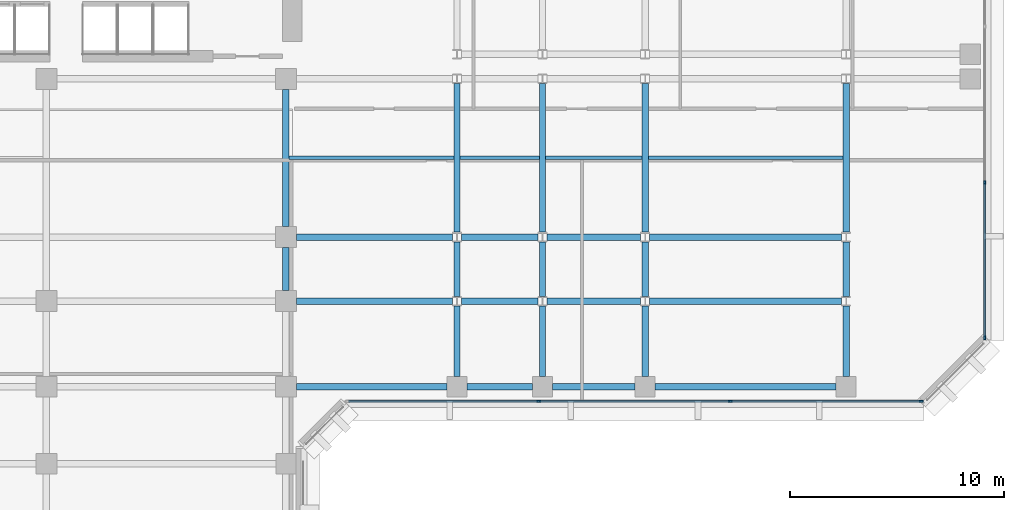
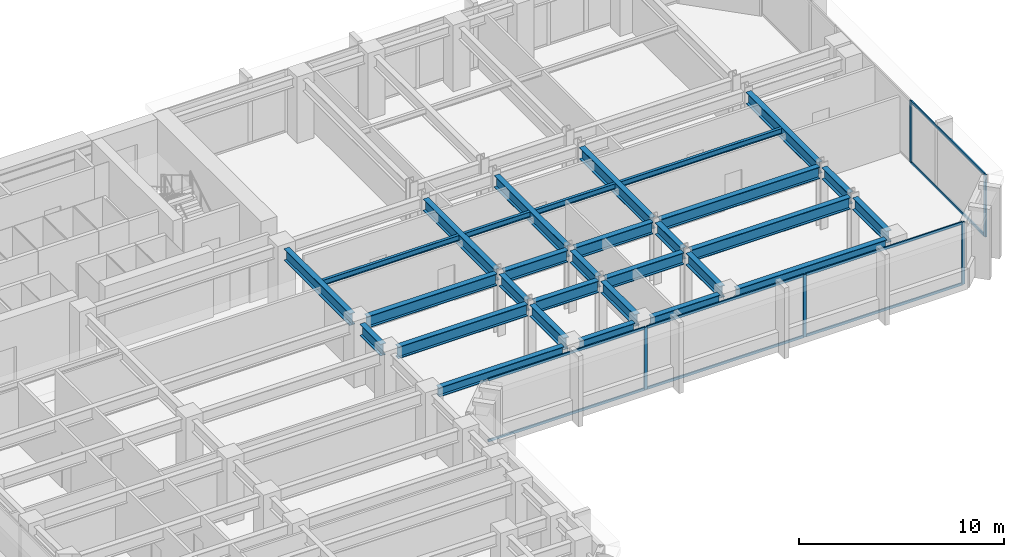
# One storey, part 3 of 13: 30 beams, 13 members, 2 elements without a shape of their own.
"""IFC4 building model written with IfcOpenShell, lengths in metres."""

from ifc_helpers import new_model, si_unit, direction, frame, origin, origin_2d, place, context, subcontext, project, spatial, rectangle, i_section, extrude, material, layer, layer_set, material_profile, profile_set, type_object, element, aggregate, save


model = new_model("IFC4")

# Units and contexts
model_context = context("Model", 3, precision=1e-05, world=origin(), true_north=direction((0.0, 1.0)))
body_context = subcontext(model_context, "Body", "Model", "MODEL_VIEW")
ifc_project = project(units=[si_unit("LENGTHUNIT", "METRE"), si_unit("AREAUNIT", "SQUARE_METRE"), si_unit("VOLUMEUNIT", "CUBIC_METRE"), si_unit("PLANEANGLEUNIT", "RADIAN"), si_unit("MASSUNIT", "GRAM", prefix="KILO")], contexts=[model_context])

# Site, building, storey
site_placement = place(None, origin())
site = spatial("IfcSite", under=ifc_project, at=site_placement, CompositionType="ELEMENT")
building_placement = place(site_placement, origin())
building = spatial("IfcBuilding", under=site, at=building_placement, Name="Kefirva Bronze Tower", CompositionType="ELEMENT")
storey_placement = place(building_placement, frame((0.0, 0.0, 98.669921875)))
storey = spatial("IfcBuildingStorey", under=building, at=storey_placement, Name="L23", CompositionType="ELEMENT", Elevation=98.669921875)

# Curtain wall, members
ifc_material_1 = material(Name="Bronze anodised aluminium", Category="aluminium")
ifc_layer = layer(ifc_material_1, 0.199951171875, Name="Bronze anodised aluminium")
ifc_layer_set = layer_set([ifc_layer], Name="Bronze anodised aluminium")
curtain_wall_type = type_object("IfcCurtainWallType", Name="Unitised Bronze Ribbon Curtain Wall Zone 1", PredefinedType="USERDEFINED", material=ifc_layer_set)
curtain_wall_1_placement = place(storey_placement, origin())
curtain_wall_1 = element("IfcCurtainWall", 1, at=curtain_wall_1_placement, inside=storey, type_object=curtain_wall_type, Name="L23 Curtain Wall 2", ObjectType="UNITISED CURTAIN WALL", PredefinedType="USERDEFINED")
ifc_material_profile_1 = material_profile(ifc_material_1, rectangle(XDim=0.074951171875, YDim=0.179931640625, at=origin_2d()), Name="ALU 75x180")
ifc_profile_set_1 = profile_set([ifc_material_profile_1], Name="Bronze anodised aluminium")
member_type_1 = type_object("IfcMemberType", Name="Bronze Mullion 75x180", PredefinedType="MULLION", material=ifc_profile_set_1)
member_1_placement = place(storey_placement, frame((35.018310546875, 18.1201171875, 0.0), z_axis=(0.0, 0.0, 1.0), x_axis=(0.0, 1.0, 0.0)))
member_1 = element("IfcMember", 2, at=member_1_placement, type_object=member_type_1, Name="CW-01 mullion 2", PredefinedType="MULLION", context=body_context, shape_type="SweptSolid", body=[
    extrude(rectangle(XDim=0.074951171875, YDim=0.179931640625, at=origin_2d()), origin(), (0.0, 0.0, 1.0), 3.7099609375),
])
member_2_placement = place(storey_placement, frame((43.981689453125, 18.1201171875, 0.0), z_axis=(0.0, 0.0, 1.0), x_axis=(0.0, 1.0, 0.0)))
member_2 = element("IfcMember", 3, at=member_2_placement, type_object=member_type_1, Name="CW-01 mullion 3", PredefinedType="MULLION", context=body_context, shape_type="SweptSolid", body=[
    extrude(rectangle(XDim=0.074951171875, YDim=0.179931640625, at=origin_2d()), origin(), (0.0, 0.0, 1.0), 3.7099609375),
])
member_3_placement = place(storey_placement, frame((52.907470703125, 18.1201171875, 0.0), z_axis=(0.0, 0.0, 1.0), x_axis=(0.0, 1.0, 0.0)))
member_3 = element("IfcMember", 4, at=member_3_placement, type_object=member_type_1, Name="CW-01 mullion 4", PredefinedType="MULLION", context=body_context, shape_type="SweptSolid", body=[
    extrude(rectangle(XDim=0.074951171875, YDim=0.179931640625, at=origin_2d()), origin(), (0.0, 0.0, 1.0), 3.7099609375),
])

curtain_wall_2_placement = place(storey_placement, origin())
curtain_wall_2 = element("IfcCurtainWall", 5, at=curtain_wall_2_placement, inside=storey, type_object=curtain_wall_type, Name="L23 Curtain Wall 3", ObjectType="UNITISED CURTAIN WALL", PredefinedType="USERDEFINED")
member_4_placement = place(storey_placement, frame((55.8798828125, 21.092529296875, 0.0), z_axis=(0.0, 0.0, 1.0), x_axis=(-1.0, 0.0, 0.0)))
member_4 = element("IfcMember", 6, at=member_4_placement, type_object=member_type_1, Name="CW-01 mullion 1", PredefinedType="MULLION", context=body_context, shape_type="SweptSolid", body=[
    extrude(rectangle(XDim=0.074951171875, YDim=0.179931640625, at=origin_2d()), origin(), (0.0, 0.0, 1.0), 3.7099609375),
])
member_5_placement = place(storey_placement, frame((55.8798828125, 28.3515625, 0.0), z_axis=(0.0, 0.0, 1.0), x_axis=(-1.0, 0.0, 0.0)))
member_5 = element("IfcMember", 7, at=member_5_placement, type_object=member_type_1, Name="CW-01 mullion 2", PredefinedType="MULLION", context=body_context, shape_type="SweptSolid", body=[
    extrude(rectangle(XDim=0.074951171875, YDim=0.179931640625, at=origin_2d()), origin(), (0.0, 0.0, 1.0), 3.7099609375),
])

# Member
ifc_material_profile_2 = material_profile(ifc_material_1, rectangle(XDim=0.074951171875, YDim=0.14990234375, at=origin_2d()), Name="ALU 75x150")
ifc_profile_set_2 = profile_set([ifc_material_profile_2], Name="Bronze anodised aluminium")
member_type_2 = type_object("IfcMemberType", Name="Bronze Transom 75x150", PredefinedType="USERDEFINED", material=ifc_profile_set_2)
member_6_placement = place(storey_placement, frame((26.1298828125, 18.1201171875, 0.03759765625), z_axis=(1.0, 0.0, 0.0), x_axis=(0.0, 1.0, 0.0)))
member_6 = element("IfcMember", 8, at=member_6_placement, type_object=member_type_2, Name="CW-01 transom 1.1", ObjectType="TRANSOM", PredefinedType="USERDEFINED", context=body_context, shape_type="SweptSolid", body=[
    extrude(rectangle(XDim=0.074951171875, YDim=0.14990234375, at=origin_2d()), origin(), (0.0, 0.0, 1.0), 8.850830078125),
])

member_7_placement = place(storey_placement, frame((26.1298828125, 18.1201171875, 3.672607421875), z_axis=(1.0, 0.0, 0.0), x_axis=(0.0, 1.0, 0.0)))
member_7 = element("IfcMember", 9, at=member_7_placement, type_object=member_type_2, Name="CW-01 transom 1.2", ObjectType="TRANSOM", PredefinedType="USERDEFINED", context=body_context, shape_type="SweptSolid", body=[
    extrude(rectangle(XDim=0.074951171875, YDim=0.14990234375, at=origin_2d()), origin(), (0.0, 0.0, 1.0), 8.850830078125),
])

member_8_placement = place(storey_placement, frame((35.055908203125, 18.1201171875, 0.03759765625), z_axis=(1.0, 0.0, 0.0), x_axis=(0.0, 1.0, 0.0)))
member_8 = element("IfcMember", 10, at=member_8_placement, type_object=member_type_2, Name="CW-01 transom 2.1", ObjectType="TRANSOM", PredefinedType="USERDEFINED", context=body_context, shape_type="SweptSolid", body=[
    extrude(rectangle(XDim=0.074951171875, YDim=0.14990234375, at=origin_2d()), origin(), (0.0, 0.0, 1.0), 8.88818359375),
])

member_9_placement = place(storey_placement, frame((35.055908203125, 18.1201171875, 3.672607421875), z_axis=(1.0, 0.0, 0.0), x_axis=(0.0, 1.0, 0.0)))
member_9 = element("IfcMember", 11, at=member_9_placement, type_object=member_type_2, Name="CW-01 transom 2.2", ObjectType="TRANSOM", PredefinedType="USERDEFINED", context=body_context, shape_type="SweptSolid", body=[
    extrude(rectangle(XDim=0.074951171875, YDim=0.14990234375, at=origin_2d()), origin(), (0.0, 0.0, 1.0), 8.88818359375),
])

member_10_placement = place(storey_placement, frame((44.019287109375, 18.1201171875, 0.03759765625), z_axis=(1.0, 0.0, 0.0), x_axis=(0.0, 1.0, 0.0)))
member_10 = element("IfcMember", 12, at=member_10_placement, type_object=member_type_2, Name="CW-01 transom 3.1", ObjectType="TRANSOM", PredefinedType="USERDEFINED", context=body_context, shape_type="SweptSolid", body=[
    extrude(rectangle(XDim=0.074951171875, YDim=0.14990234375, at=origin_2d()), origin(), (0.0, 0.0, 1.0), 8.850830078125),
])

member_11_placement = place(storey_placement, frame((44.019287109375, 18.1201171875, 3.672607421875), z_axis=(1.0, 0.0, 0.0), x_axis=(0.0, 1.0, 0.0)))
member_11 = element("IfcMember", 13, at=member_11_placement, type_object=member_type_2, Name="CW-01 transom 3.2", ObjectType="TRANSOM", PredefinedType="USERDEFINED", context=body_context, shape_type="SweptSolid", body=[
    extrude(rectangle(XDim=0.074951171875, YDim=0.14990234375, at=origin_2d()), origin(), (0.0, 0.0, 1.0), 8.850830078125),
])

aggregate(curtain_wall_1, [member_1, member_2, member_3, member_6, member_7, member_8, member_9, member_10, member_11])

member_12_placement = place(storey_placement, frame((55.8798828125, 21.1298828125, 0.03759765625), z_axis=(0.0, 1.0, 0.0), x_axis=(-1.0, 0.0, 0.0)))
member_12 = element("IfcMember", 14, at=member_12_placement, type_object=member_type_2, Name="CW-01 transom 1.1", ObjectType="TRANSOM", PredefinedType="USERDEFINED", context=body_context, shape_type="SweptSolid", body=[
    extrude(rectangle(XDim=0.074951171875, YDim=0.14990234375, at=origin_2d()), origin(), (0.0, 0.0, 1.0), 7.184326171875),
])

member_13_placement = place(storey_placement, frame((55.8798828125, 21.1298828125, 3.672607421875), z_axis=(0.0, 1.0, 0.0), x_axis=(-1.0, 0.0, 0.0)))
member_13 = element("IfcMember", 15, at=member_13_placement, type_object=member_type_2, Name="CW-01 transom 1.2", ObjectType="TRANSOM", PredefinedType="USERDEFINED", context=body_context, shape_type="SweptSolid", body=[
    extrude(rectangle(XDim=0.074951171875, YDim=0.14990234375, at=origin_2d()), origin(), (0.0, 0.0, 1.0), 7.184326171875),
])

aggregate(curtain_wall_2, [member_4, member_5, member_12, member_13])

# Beams
ifc_material_2 = material(Name="Steel S355", Category="steel")
ifc_material_profile_3 = material_profile(ifc_material_2, i_section(OverallWidth=0.159912109375, OverallDepth=0.330078125, WebThickness=0.007568359375, FlangeThickness=0.011474609375, at=origin_2d()), Name="IPE 330")
ifc_profile_set_3 = profile_set([ifc_material_profile_3], Name="Steel S355")
beam_type_1 = type_object("IfcBeamType", Name="Steel Floor Joist IPE 330", PredefinedType="JOIST", material=ifc_profile_set_3)
beam_1_placement = place(storey_placement, frame((23.35009765625, 29.5, 3.545166015625), z_axis=(1.0, 0.0, 0.0), x_axis=(0.0, 1.0, 0.0)))
element("IfcBeam", 16, at=beam_1_placement, inside=storey, type_object=beam_type_1, Name="L23 JST-L23-23-295", PredefinedType="JOIST", context=body_context, shape_type="SweptSolid", body=[
    extrude(i_section(OverallWidth=0.159912109375, OverallDepth=0.330078125, WebThickness=0.007568359375, FlangeThickness=0.011474609375, at=origin_2d()), origin(), (0.0, 0.0, 1.0), 7.699951171875),
])
beam_2_placement = place(storey_placement, frame((31.35009765625, 29.5, 3.545166015625), z_axis=(1.0, 0.0, 0.0), x_axis=(0.0, 1.0, 0.0)))
element("IfcBeam", 17, at=beam_2_placement, inside=storey, type_object=beam_type_1, Name="L23 JST-L23-31-295", PredefinedType="JOIST", context=body_context, shape_type="SweptSolid", body=[
    extrude(i_section(OverallWidth=0.159912109375, OverallDepth=0.330078125, WebThickness=0.007568359375, FlangeThickness=0.011474609375, at=origin_2d()), origin(), (0.0, 0.0, 1.0), 3.699951171875),
])
beam_3_placement = place(storey_placement, frame((35.35009765625, 29.5, 3.545166015625), z_axis=(1.0, 0.0, 0.0), x_axis=(0.0, 1.0, 0.0)))
element("IfcBeam", 18, at=beam_3_placement, inside=storey, type_object=beam_type_1, Name="L23 JST-L23-35-295", PredefinedType="JOIST", context=body_context, shape_type="SweptSolid", body=[
    extrude(i_section(OverallWidth=0.159912109375, OverallDepth=0.330078125, WebThickness=0.007568359375, FlangeThickness=0.011474609375, at=origin_2d()), origin(), (0.0, 0.0, 1.0), 4.5),
])
beam_4_placement = place(storey_placement, frame((40.14990234375, 29.5, 3.545166015625), z_axis=(1.0, 0.0, 0.0), x_axis=(0.0, 1.0, 0.0)))
element("IfcBeam", 19, at=beam_4_placement, inside=storey, type_object=beam_type_1, Name="L23 JST-L23-40-295", PredefinedType="JOIST", context=body_context, shape_type="SweptSolid", body=[
    extrude(i_section(OverallWidth=0.159912109375, OverallDepth=0.330078125, WebThickness=0.007568359375, FlangeThickness=0.011474609375, at=origin_2d()), origin(), (0.0, 0.0, 1.0), 9.10009765625),
])
ifc_material_profile_4 = material_profile(ifc_material_2, i_section(OverallWidth=0.300048828125, OverallDepth=0.699951171875, WebThickness=0.01708984375, FlangeThickness=0.031982421875, at=origin_2d()), Name="HEB 700")
ifc_profile_set_4 = profile_set([ifc_material_profile_4], Name="Steel S355")
beam_type_2 = type_object("IfcBeamType", Name="Steel Girder HEB 700", PredefinedType="USERDEFINED", material=ifc_profile_set_4)
beam_5_placement = place(storey_placement, frame((23.68994140625, 22.800048828125, 3.360107421875), z_axis=(1.0, 0.0, 0.0), x_axis=(0.0, 1.0, 0.0)))
element("IfcBeam", 20, at=beam_5_placement, inside=storey, type_object=beam_type_2, Name="L23 BM-L23-EW-23-228", ObjectType="GIRDER", PredefinedType="USERDEFINED", context=body_context, shape_type="SweptSolid", body=[
    extrude(i_section(OverallWidth=0.300048828125, OverallDepth=0.699951171875, WebThickness=0.01708984375, FlangeThickness=0.031982421875, at=origin_2d()), origin(), (0.0, 0.0, 1.0), 7.301025390625),
])
beam_6_placement = place(storey_placement, frame((31.408935546875, 22.800048828125, 3.360107421875), z_axis=(1.0, 0.0, 0.0), x_axis=(0.0, 1.0, 0.0)))
element("IfcBeam", 21, at=beam_6_placement, inside=storey, type_object=beam_type_2, Name="L23 BM-L23-EW-31-228", ObjectType="GIRDER", PredefinedType="USERDEFINED", context=body_context, shape_type="SweptSolid", body=[
    extrude(i_section(OverallWidth=0.300048828125, OverallDepth=0.699951171875, WebThickness=0.01708984375, FlangeThickness=0.031982421875, at=origin_2d()), origin(), (0.0, 0.0, 1.0), 3.58203125),
])
beam_7_placement = place(storey_placement, frame((35.408935546875, 22.800048828125, 3.360107421875), z_axis=(1.0, 0.0, 0.0), x_axis=(0.0, 1.0, 0.0)))
element("IfcBeam", 22, at=beam_7_placement, inside=storey, type_object=beam_type_2, Name="L23 BM-L23-EW-35-228", ObjectType="GIRDER", PredefinedType="USERDEFINED", context=body_context, shape_type="SweptSolid", body=[
    extrude(i_section(OverallWidth=0.300048828125, OverallDepth=0.699951171875, WebThickness=0.01708984375, FlangeThickness=0.031982421875, at=origin_2d()), origin(), (0.0, 0.0, 1.0), 4.382080078125),
])
beam_8_placement = place(storey_placement, frame((40.208984375, 22.800048828125, 3.360107421875), z_axis=(1.0, 0.0, 0.0), x_axis=(0.0, 1.0, 0.0)))
element("IfcBeam", 23, at=beam_8_placement, inside=storey, type_object=beam_type_2, Name="L23 BM-L23-EW-40-228", ObjectType="GIRDER", PredefinedType="USERDEFINED", context=body_context, shape_type="SweptSolid", body=[
    extrude(i_section(OverallWidth=0.300048828125, OverallDepth=0.699951171875, WebThickness=0.01708984375, FlangeThickness=0.031982421875, at=origin_2d()), origin(), (0.0, 0.0, 1.0), 8.98193359375),
])
beam_9_placement = place(storey_placement, frame((23.68994140625, 25.800048828125, 3.360107421875), z_axis=(1.0, 0.0, 0.0), x_axis=(0.0, 1.0, 0.0)))
element("IfcBeam", 24, at=beam_9_placement, inside=storey, type_object=beam_type_2, Name="L23 BM-L23-EW-23-258", ObjectType="GIRDER", PredefinedType="USERDEFINED", context=body_context, shape_type="SweptSolid", body=[
    extrude(i_section(OverallWidth=0.300048828125, OverallDepth=0.699951171875, WebThickness=0.01708984375, FlangeThickness=0.031982421875, at=origin_2d()), origin(), (0.0, 0.0, 1.0), 7.301025390625),
])
beam_10_placement = place(storey_placement, frame((31.408935546875, 25.800048828125, 3.360107421875), z_axis=(1.0, 0.0, 0.0), x_axis=(0.0, 1.0, 0.0)))
element("IfcBeam", 25, at=beam_10_placement, inside=storey, type_object=beam_type_2, Name="L23 BM-L23-EW-31-258", ObjectType="GIRDER", PredefinedType="USERDEFINED", context=body_context, shape_type="SweptSolid", body=[
    extrude(i_section(OverallWidth=0.300048828125, OverallDepth=0.699951171875, WebThickness=0.01708984375, FlangeThickness=0.031982421875, at=origin_2d()), origin(), (0.0, 0.0, 1.0), 3.58203125),
])
beam_11_placement = place(storey_placement, frame((35.408935546875, 25.800048828125, 3.360107421875), z_axis=(1.0, 0.0, 0.0), x_axis=(0.0, 1.0, 0.0)))
element("IfcBeam", 26, at=beam_11_placement, inside=storey, type_object=beam_type_2, Name="L23 BM-L23-EW-35-258", ObjectType="GIRDER", PredefinedType="USERDEFINED", context=body_context, shape_type="SweptSolid", body=[
    extrude(i_section(OverallWidth=0.300048828125, OverallDepth=0.699951171875, WebThickness=0.01708984375, FlangeThickness=0.031982421875, at=origin_2d()), origin(), (0.0, 0.0, 1.0), 4.382080078125),
])
beam_12_placement = place(storey_placement, frame((40.208984375, 25.800048828125, 3.360107421875), z_axis=(1.0, 0.0, 0.0), x_axis=(0.0, 1.0, 0.0)))
element("IfcBeam", 27, at=beam_12_placement, inside=storey, type_object=beam_type_2, Name="L23 BM-L23-EW-40-258", ObjectType="GIRDER", PredefinedType="USERDEFINED", context=body_context, shape_type="SweptSolid", body=[
    extrude(i_section(OverallWidth=0.300048828125, OverallDepth=0.699951171875, WebThickness=0.01708984375, FlangeThickness=0.031982421875, at=origin_2d()), origin(), (0.0, 0.0, 1.0), 8.98193359375),
])
beam_13_placement = place(storey_placement, frame((23.199951171875, 23.2900390625, 3.360107421875), z_axis=(0.0, 1.0, 0.0), x_axis=(-1.0, 0.0, 0.0)))
element("IfcBeam", 28, at=beam_13_placement, inside=storey, type_object=beam_type_2, Name="L23 BM-L23-NS-232-22", ObjectType="GIRDER", PredefinedType="USERDEFINED", context=body_context, shape_type="SweptSolid", body=[
    extrude(i_section(OverallWidth=0.300048828125, OverallDepth=0.699951171875, WebThickness=0.01708984375, FlangeThickness=0.031982421875, at=origin_2d()), origin(), (0.0, 0.0, 1.0), 2.02001953125),
])
beam_14_placement = place(storey_placement, frame((23.199951171875, 26.2900390625, 3.360107421875), z_axis=(0.0, 1.0, 0.0), x_axis=(-1.0, 0.0, 0.0)))
element("IfcBeam", 29, at=beam_14_placement, inside=storey, type_object=beam_type_2, Name="L23 BM-L23-NS-232-25", ObjectType="GIRDER", PredefinedType="USERDEFINED", context=body_context, shape_type="SweptSolid", body=[
    extrude(i_section(OverallWidth=0.300048828125, OverallDepth=0.699951171875, WebThickness=0.01708984375, FlangeThickness=0.031982421875, at=origin_2d()), origin(), (0.0, 0.0, 1.0), 6.419921875),
])
beam_15_placement = place(storey_placement, frame((31.199951171875, 19.27001953125, 3.360107421875), z_axis=(0.0, 1.0, 0.0), x_axis=(-1.0, 0.0, 0.0)))
element("IfcBeam", 30, at=beam_15_placement, inside=storey, type_object=beam_type_2, Name="L23 BM-L23-NS-312-18", ObjectType="GIRDER", PredefinedType="USERDEFINED", context=body_context, shape_type="SweptSolid", body=[
    extrude(i_section(OverallWidth=0.300048828125, OverallDepth=0.699951171875, WebThickness=0.01708984375, FlangeThickness=0.031982421875, at=origin_2d()), origin(), (0.0, 0.0, 1.0), 3.302490234375),
])
beam_16_placement = place(storey_placement, frame((31.199951171875, 23.027587890625, 3.360107421875), z_axis=(0.0, 1.0, 0.0), x_axis=(-1.0, 0.0, 0.0)))
element("IfcBeam", 31, at=beam_16_placement, inside=storey, type_object=beam_type_2, Name="L23 BM-L23-NS-312-22", ObjectType="GIRDER", PredefinedType="USERDEFINED", context=body_context, shape_type="SweptSolid", body=[
    extrude(i_section(OverallWidth=0.300048828125, OverallDepth=0.699951171875, WebThickness=0.01708984375, FlangeThickness=0.031982421875, at=origin_2d()), origin(), (0.0, 0.0, 1.0), 2.544921875),
])
beam_17_placement = place(storey_placement, frame((31.199951171875, 26.027587890625, 3.360107421875), z_axis=(0.0, 1.0, 0.0), x_axis=(-1.0, 0.0, 0.0)))
element("IfcBeam", 32, at=beam_17_placement, inside=storey, type_object=beam_type_2, Name="L23 BM-L23-NS-312-25", ObjectType="GIRDER", PredefinedType="USERDEFINED", context=body_context, shape_type="SweptSolid", body=[
    extrude(i_section(OverallWidth=0.300048828125, OverallDepth=0.699951171875, WebThickness=0.01708984375, FlangeThickness=0.031982421875, at=origin_2d()), origin(), (0.0, 0.0, 1.0), 6.94482421875),
])
beam_18_placement = place(storey_placement, frame((35.199951171875, 19.27001953125, 3.360107421875), z_axis=(0.0, 1.0, 0.0), x_axis=(-1.0, 0.0, 0.0)))
element("IfcBeam", 33, at=beam_18_placement, inside=storey, type_object=beam_type_2, Name="L23 BM-L23-NS-352-18", ObjectType="GIRDER", PredefinedType="USERDEFINED", context=body_context, shape_type="SweptSolid", body=[
    extrude(i_section(OverallWidth=0.300048828125, OverallDepth=0.699951171875, WebThickness=0.01708984375, FlangeThickness=0.031982421875, at=origin_2d()), origin(), (0.0, 0.0, 1.0), 3.302490234375),
])
beam_19_placement = place(storey_placement, frame((35.199951171875, 23.027587890625, 3.360107421875), z_axis=(0.0, 1.0, 0.0), x_axis=(-1.0, 0.0, 0.0)))
element("IfcBeam", 34, at=beam_19_placement, inside=storey, type_object=beam_type_2, Name="L23 BM-L23-NS-352-22", ObjectType="GIRDER", PredefinedType="USERDEFINED", context=body_context, shape_type="SweptSolid", body=[
    extrude(i_section(OverallWidth=0.300048828125, OverallDepth=0.699951171875, WebThickness=0.01708984375, FlangeThickness=0.031982421875, at=origin_2d()), origin(), (0.0, 0.0, 1.0), 2.544921875),
])
beam_20_placement = place(storey_placement, frame((35.199951171875, 26.027587890625, 3.360107421875), z_axis=(0.0, 1.0, 0.0), x_axis=(-1.0, 0.0, 0.0)))
element("IfcBeam", 35, at=beam_20_placement, inside=storey, type_object=beam_type_2, Name="L23 BM-L23-NS-352-25", ObjectType="GIRDER", PredefinedType="USERDEFINED", context=body_context, shape_type="SweptSolid", body=[
    extrude(i_section(OverallWidth=0.300048828125, OverallDepth=0.699951171875, WebThickness=0.01708984375, FlangeThickness=0.031982421875, at=origin_2d()), origin(), (0.0, 0.0, 1.0), 6.94482421875),
])
beam_21_placement = place(storey_placement, frame((40.0, 19.27001953125, 3.360107421875), z_axis=(0.0, 1.0, 0.0), x_axis=(-1.0, 0.0, 0.0)))
element("IfcBeam", 36, at=beam_21_placement, inside=storey, type_object=beam_type_2, Name="L23 BM-L23-NS-400-18", ObjectType="GIRDER", PredefinedType="USERDEFINED", context=body_context, shape_type="SweptSolid", body=[
    extrude(i_section(OverallWidth=0.300048828125, OverallDepth=0.699951171875, WebThickness=0.01708984375, FlangeThickness=0.031982421875, at=origin_2d()), origin(), (0.0, 0.0, 1.0), 3.302490234375),
])
beam_22_placement = place(storey_placement, frame((40.0, 23.027587890625, 3.360107421875), z_axis=(0.0, 1.0, 0.0), x_axis=(-1.0, 0.0, 0.0)))
element("IfcBeam", 37, at=beam_22_placement, inside=storey, type_object=beam_type_2, Name="L23 BM-L23-NS-400-22", ObjectType="GIRDER", PredefinedType="USERDEFINED", context=body_context, shape_type="SweptSolid", body=[
    extrude(i_section(OverallWidth=0.300048828125, OverallDepth=0.699951171875, WebThickness=0.01708984375, FlangeThickness=0.031982421875, at=origin_2d()), origin(), (0.0, 0.0, 1.0), 2.544921875),
])
beam_23_placement = place(storey_placement, frame((40.0, 26.027587890625, 3.360107421875), z_axis=(0.0, 1.0, 0.0), x_axis=(-1.0, 0.0, 0.0)))
element("IfcBeam", 38, at=beam_23_placement, inside=storey, type_object=beam_type_2, Name="L23 BM-L23-NS-400-25", ObjectType="GIRDER", PredefinedType="USERDEFINED", context=body_context, shape_type="SweptSolid", body=[
    extrude(i_section(OverallWidth=0.300048828125, OverallDepth=0.699951171875, WebThickness=0.01708984375, FlangeThickness=0.031982421875, at=origin_2d()), origin(), (0.0, 0.0, 1.0), 6.94482421875),
])
beam_24_placement = place(storey_placement, frame((49.39990234375, 19.27001953125, 3.360107421875), z_axis=(0.0, 1.0, 0.0), x_axis=(-1.0, 0.0, 0.0)))
element("IfcBeam", 39, at=beam_24_placement, inside=storey, type_object=beam_type_2, Name="L23 BM-L23-NS-494-18", ObjectType="GIRDER", PredefinedType="USERDEFINED", context=body_context, shape_type="SweptSolid", body=[
    extrude(i_section(OverallWidth=0.300048828125, OverallDepth=0.699951171875, WebThickness=0.01708984375, FlangeThickness=0.031982421875, at=origin_2d()), origin(), (0.0, 0.0, 1.0), 3.302490234375),
])
beam_25_placement = place(storey_placement, frame((49.39990234375, 23.027587890625, 3.360107421875), z_axis=(0.0, 1.0, 0.0), x_axis=(-1.0, 0.0, 0.0)))
element("IfcBeam", 40, at=beam_25_placement, inside=storey, type_object=beam_type_2, Name="L23 BM-L23-NS-494-22", ObjectType="GIRDER", PredefinedType="USERDEFINED", context=body_context, shape_type="SweptSolid", body=[
    extrude(i_section(OverallWidth=0.300048828125, OverallDepth=0.699951171875, WebThickness=0.01708984375, FlangeThickness=0.031982421875, at=origin_2d()), origin(), (0.0, 0.0, 1.0), 2.544921875),
])
beam_26_placement = place(storey_placement, frame((49.39990234375, 26.027587890625, 3.360107421875), z_axis=(0.0, 1.0, 0.0), x_axis=(-1.0, 0.0, 0.0)))
element("IfcBeam", 41, at=beam_26_placement, inside=storey, type_object=beam_type_2, Name="L23 BM-L23-NS-494-25", ObjectType="GIRDER", PredefinedType="USERDEFINED", context=body_context, shape_type="SweptSolid", body=[
    extrude(i_section(OverallWidth=0.300048828125, OverallDepth=0.699951171875, WebThickness=0.01708984375, FlangeThickness=0.031982421875, at=origin_2d()), origin(), (0.0, 0.0, 1.0), 6.94482421875),
])
ifc_material_profile_5 = material_profile(ifc_material_2, i_section(OverallWidth=0.300048828125, OverallDepth=0.550048828125, WebThickness=0.014892578125, FlangeThickness=0.029052734375, at=origin_2d()), Name="HEB 550")
ifc_profile_set_5 = profile_set([ifc_material_profile_5], Name="Steel S355")
beam_type_3 = type_object("IfcBeamType", Name="Steel Spandrel HEB 550 Ext", PredefinedType="SPANDREL", material=ifc_profile_set_5)
beam_27_placement = place(storey_placement, frame((23.68994140625, 18.800048828125, 3.43505859375), z_axis=(1.0, 0.0, 0.0), x_axis=(0.0, 1.0, 0.0)))
element("IfcBeam", 42, at=beam_27_placement, inside=storey, type_object=beam_type_3, Name="L23 BM-L23-EW-23-188", PredefinedType="SPANDREL", context=body_context, shape_type="SweptSolid", body=[
    extrude(i_section(OverallWidth=0.300048828125, OverallDepth=0.550048828125, WebThickness=0.014892578125, FlangeThickness=0.029052734375, at=origin_2d()), origin(), (0.0, 0.0, 1.0), 7.0400390625),
])
beam_28_placement = place(storey_placement, frame((31.669921875, 18.800048828125, 3.43505859375), z_axis=(1.0, 0.0, 0.0), x_axis=(0.0, 1.0, 0.0)))
element("IfcBeam", 43, at=beam_28_placement, inside=storey, type_object=beam_type_3, Name="L23 BM-L23-EW-31-188", PredefinedType="SPANDREL", context=body_context, shape_type="SweptSolid", body=[
    extrude(i_section(OverallWidth=0.300048828125, OverallDepth=0.550048828125, WebThickness=0.014892578125, FlangeThickness=0.029052734375, at=origin_2d()), origin(), (0.0, 0.0, 1.0), 3.06005859375),
])
beam_29_placement = place(storey_placement, frame((35.669921875, 18.800048828125, 3.43505859375), z_axis=(1.0, 0.0, 0.0), x_axis=(0.0, 1.0, 0.0)))
element("IfcBeam", 44, at=beam_29_placement, inside=storey, type_object=beam_type_3, Name="L23 BM-L23-EW-35-188", PredefinedType="SPANDREL", context=body_context, shape_type="SweptSolid", body=[
    extrude(i_section(OverallWidth=0.300048828125, OverallDepth=0.550048828125, WebThickness=0.014892578125, FlangeThickness=0.029052734375, at=origin_2d()), origin(), (0.0, 0.0, 1.0), 3.860107421875),
])
beam_30_placement = place(storey_placement, frame((40.469970703125, 18.800048828125, 3.43505859375), z_axis=(1.0, 0.0, 0.0), x_axis=(0.0, 1.0, 0.0)))
element("IfcBeam", 45, at=beam_30_placement, inside=storey, type_object=beam_type_3, Name="L23 BM-L23-EW-40-188", PredefinedType="SPANDREL", context=body_context, shape_type="SweptSolid", body=[
    extrude(i_section(OverallWidth=0.300048828125, OverallDepth=0.550048828125, WebThickness=0.014892578125, FlangeThickness=0.029052734375, at=origin_2d()), origin(), (0.0, 0.0, 1.0), 8.4599609375),
])

save(model, "model.ifc")
